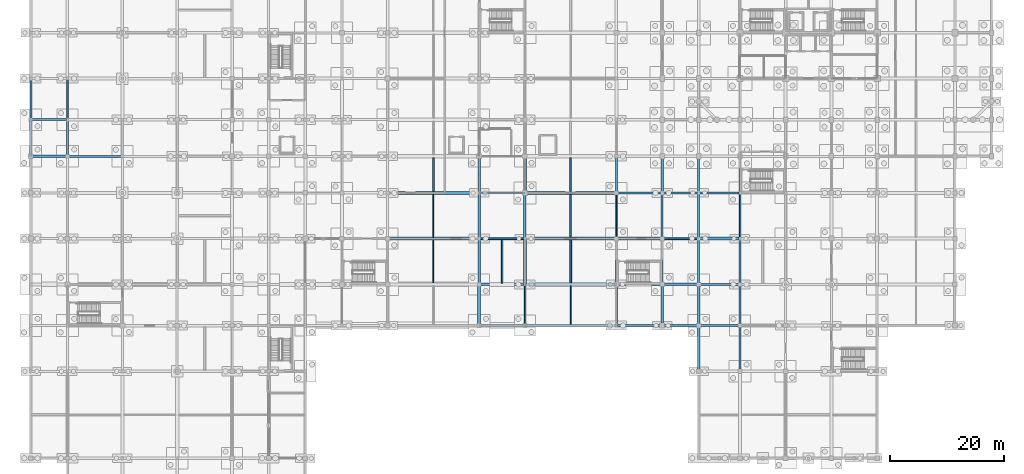
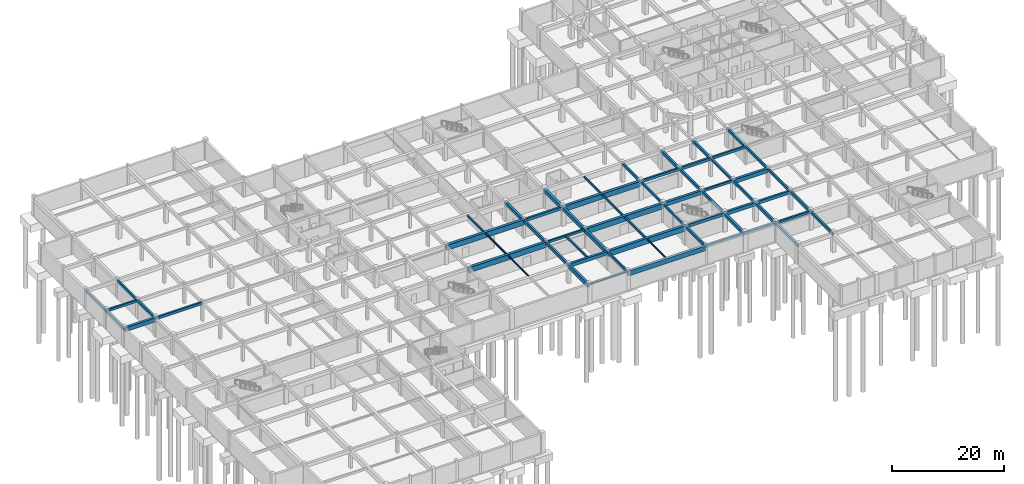
# One storey, part 11 of 28: 63 beams.
"""IFC4 building model written with IfcOpenShell, lengths in metres."""

from ifc_helpers import new_model, si_unit, direction, frame, origin, origin_2d, place, context, subcontext, project, spatial, rectangle, i_section, extrude, material, material_profile, profile_set, type_object, element, save


model = new_model("IFC4")

# Units and contexts
model_context = context("Model", 3, precision=1e-05, world=origin(), true_north=direction((0.0, 1.0)))
body_context = subcontext(model_context, "Body", "Model", "MODEL_VIEW")
ifc_project = project(units=[si_unit("LENGTHUNIT", "METRE"), si_unit("AREAUNIT", "SQUARE_METRE"), si_unit("VOLUMEUNIT", "CUBIC_METRE"), si_unit("PLANEANGLEUNIT", "RADIAN"), si_unit("MASSUNIT", "GRAM", prefix="KILO")], contexts=[model_context])

# Site, building, storey
site_placement = place(None, origin())
site = spatial("IfcSite", under=ifc_project, at=site_placement, CompositionType="ELEMENT")
building_placement = place(site_placement, origin())
building = spatial("IfcBuilding", under=site, at=building_placement, Name="Vellmiral Cinema and Media Centre", CompositionType="ELEMENT")
storey_placement = place(building_placement, frame((0.0, 0.0, -4.5)))
storey = spatial("IfcBuildingStorey", under=building, at=storey_placement, Name="B1", CompositionType="ELEMENT", Elevation=-4.5)

# Beams
ifc_material_1 = material(Name="Concrete C40/50", Category="concrete")
ifc_material_profile_1 = material_profile(ifc_material_1, rectangle(XDim=0.300048828125, YDim=0.449951171875, at=origin_2d()), Name="RC 300x450")
ifc_profile_set_1 = profile_set([ifc_material_profile_1], Name="Concrete C40/50")
beam_type_1 = type_object("IfcBeamType", Name="BM-RC-300x450", PredefinedType="BEAM", material=ifc_profile_set_1)
beam_1_placement = place(storey_placement, frame((6.39990234375, 72.0, 3.85009765625), z_axis=(0.0, 1.0, 0.0), x_axis=(-1.0, 0.0, 0.0)))
element("IfcBeam", 1, at=beam_1_placement, inside=storey, type_object=beam_type_1, Name="Grid Beam B1-Y228", PredefinedType="BEAM", context=body_context, shape_type="SweptSolid", body=[
    extrude(rectangle(XDim=0.300048828125, YDim=0.449951171875, at=origin_2d()), origin(), (0.0, 0.0, 1.0), 7.199951171875),
])
beam_2_placement = place(storey_placement, frame((102.39990234375, 51.199951171875, 3.85009765625), z_axis=(0.0, 1.0, 0.0), x_axis=(-1.0, 0.0, 0.0)))
element("IfcBeam", 2, at=beam_2_placement, inside=storey, type_object=beam_type_1, Name="Grid Beam B1-Y325", PredefinedType="BEAM", context=body_context, shape_type="SweptSolid", body=[
    extrude(rectangle(XDim=0.300048828125, YDim=0.449951171875, at=origin_2d()), origin(), (0.0, 0.0, 1.0), 8.0),
])
ifc_material_2 = material(Name="Concrete C40/50", Category="concrete")
ifc_material_profile_2 = material_profile(ifc_material_2, rectangle(XDim=0.300048828125, YDim=0.5, at=origin_2d()), Name="RC 300x500")
ifc_profile_set_2 = profile_set([ifc_material_profile_2], Name="Concrete C40/50")
beam_type_2 = type_object("IfcBeamType", Name="BM-RC-300x500", PredefinedType="BEAM", material=ifc_profile_set_2)
beam_3_placement = place(storey_placement, frame((78.39990234375, 51.199951171875, 3.824951171875), z_axis=(1.0, 0.0, 0.0), x_axis=(0.0, 1.0, 0.0)))
element("IfcBeam", 3, at=beam_3_placement, inside=storey, type_object=beam_type_2, Name="Grid Beam B1-X071", PredefinedType="BEAM", context=body_context, shape_type="SweptSolid", body=[
    extrude(rectangle(XDim=0.300048828125, YDim=0.5, at=origin_2d()), origin(), (0.0, 0.0, 1.0), 8.0),
])
beam_4_placement = place(storey_placement, frame((110.39990234375, 51.199951171875, 3.824951171875), z_axis=(1.0, 0.0, 0.0), x_axis=(0.0, 1.0, 0.0)))
element("IfcBeam", 4, at=beam_4_placement, inside=storey, type_object=beam_type_2, Name="Grid Beam B1-X074", PredefinedType="BEAM", context=body_context, shape_type="SweptSolid", body=[
    extrude(rectangle(XDim=0.300048828125, YDim=0.5, at=origin_2d()), origin(), (0.0, 0.0, 1.0), 6.400146484375),
])
beam_5_placement = place(storey_placement, frame((86.39990234375, 36.0, 3.824951171875), z_axis=(0.0, 1.0, 0.0), x_axis=(-1.0, 0.0, 0.0)))
element("IfcBeam", 5, at=beam_5_placement, inside=storey, type_object=beam_type_2, Name="Grid Beam B1-Y315", PredefinedType="BEAM", context=body_context, shape_type="SweptSolid", body=[
    extrude(rectangle(XDim=0.300048828125, YDim=0.5, at=origin_2d()), origin(), (0.0, 0.0, 1.0), 7.199951171875),
])
for number, where, z_axis, x_axis, name in (
    (6, (102.39990234375, 43.199951171875, 3.824951171875), (0.0, 1.0, 0.0), (-1.0, 0.0, 0.0), "Grid Beam B1-Y324"),
    (7, (124.0, 51.199951171875, 3.824951171875), (0.0, 1.0, 0.0), (-1.0, 0.0, 0.0), "Grid Beam B1-Y357"),
):
    element("IfcBeam", number, at=place(storey_placement, frame(where, z_axis=z_axis, x_axis=x_axis)), inside=storey, type_object=beam_type_2, Name=name, PredefinedType="BEAM", context=body_context, shape_type="SweptSolid", body=[
        extrude(rectangle(XDim=0.300048828125, YDim=0.5, at=origin_2d()), origin(), (0.0, 0.0, 1.0), 8.0),
    ])
ifc_material_3 = material(Name="Concrete C40/50", Category="concrete")
ifc_material_profile_3 = material_profile(ifc_material_3, rectangle(XDim=0.35009765625, YDim=0.5, at=origin_2d()), Name="RC 350x500")
ifc_profile_set_3 = profile_set([ifc_material_profile_3], Name="Concrete C40/50")
beam_type_3 = type_object("IfcBeamType", Name="BM-RC-350x500", PredefinedType="BEAM", material=ifc_profile_set_3)
beam_6_placement = place(storey_placement, frame((116.800048828125, 36.0, 3.824951171875), z_axis=(1.0, 0.0, 0.0), x_axis=(0.0, 1.0, 0.0)))
element("IfcBeam", 8, at=beam_6_placement, inside=storey, type_object=beam_type_3, Name="Grid Beam B1-X039", PredefinedType="BEAM", context=body_context, shape_type="SweptSolid", body=[
    extrude(rectangle(XDim=0.35009765625, YDim=0.5, at=origin_2d()), origin(), (0.0, 0.0, 1.0), 7.199951171875),
])
for number, where, z_axis, x_axis, name in (
    (9, (0.0, 72.0, 3.824951171875), (1.0, 0.0, 0.0), (0.0, 1.0, 0.0), "Grid Beam B1-X117"),
    (10, (6.39990234375, 65.60009765625, 3.824951171875), (0.0, 1.0, 0.0), (-1.0, 0.0, 0.0), "Grid Beam B1-Y227"),
):
    element("IfcBeam", number, at=place(storey_placement, frame(where, z_axis=z_axis, x_axis=x_axis)), inside=storey, type_object=beam_type_3, Name=name, PredefinedType="BEAM", context=body_context, shape_type="SweptSolid", body=[
        extrude(rectangle(XDim=0.35009765625, YDim=0.5, at=origin_2d()), origin(), (0.0, 0.0, 1.0), 6.39990234375),
    ])
beam_7_placement = place(storey_placement, frame((102.39990234375, 59.199951171875, 3.824951171875), z_axis=(0.0, 1.0, 0.0), x_axis=(-1.0, 0.0, 0.0)))
element("IfcBeam", 11, at=beam_7_placement, inside=storey, type_object=beam_type_3, Name="Grid Beam B1-Y326", PredefinedType="BEAM", context=body_context, shape_type="SweptSolid", body=[
    extrude(rectangle(XDim=0.35009765625, YDim=0.5, at=origin_2d()), origin(), (0.0, 0.0, 1.0), 6.400146484375),
])
for number, where, z_axis, x_axis, name in (
    (12, (116.800048828125, 51.199951171875, 3.824951171875), (0.0, 1.0, 0.0), (-1.0, 0.0, 0.0), "Grid Beam B1-Y345"),
    (13, (124.0, 43.199951171875, 3.824951171875), (0.0, 1.0, 0.0), (-1.0, 0.0, 0.0), "Grid Beam B1-Y356"),
):
    element("IfcBeam", number, at=place(storey_placement, frame(where, z_axis=z_axis, x_axis=x_axis)), inside=storey, type_object=beam_type_3, Name=name, PredefinedType="BEAM", context=body_context, shape_type="SweptSolid", body=[
        extrude(rectangle(XDim=0.35009765625, YDim=0.5, at=origin_2d()), origin(), (0.0, 0.0, 1.0), 8.0),
    ])
ifc_material_4 = material(Name="Concrete C40/50", Category="concrete")
ifc_material_profile_4 = material_profile(ifc_material_4, rectangle(XDim=0.35009765625, YDim=0.550048828125, at=origin_2d()), Name="RC 350x550")
ifc_profile_set_4 = profile_set([ifc_material_profile_4], Name="Concrete C40/50")
beam_type_4 = type_object("IfcBeamType", Name="BM-RC-350x550", PredefinedType="BEAM", material=ifc_profile_set_4)
beam_8_placement = place(storey_placement, frame((102.39990234375, 59.199951171875, 3.800048828125), z_axis=(1.0, 0.0, 0.0), x_axis=(0.0, 1.0, 0.0)))
element("IfcBeam", 14, at=beam_8_placement, inside=storey, type_object=beam_type_4, Name="Grid Beam B1-X091", PredefinedType="BEAM", context=body_context, shape_type="SweptSolid", body=[
    extrude(rectangle(XDim=0.35009765625, YDim=0.550048828125, at=origin_2d()), origin(), (0.0, 0.0, 1.0), 8.0),
])
beam_9_placement = place(storey_placement, frame((116.800048828125, 59.199951171875, 3.800048828125), z_axis=(1.0, 0.0, 0.0), x_axis=(0.0, 1.0, 0.0)))
element("IfcBeam", 15, at=beam_9_placement, inside=storey, type_object=beam_type_4, Name="Grid Beam B1-X093", PredefinedType="BEAM", context=body_context, shape_type="SweptSolid", body=[
    extrude(rectangle(XDim=0.35009765625, YDim=0.550048828125, at=origin_2d()), origin(), (0.0, 0.0, 1.0), 7.199951171875),
])
beam_10_placement = place(storey_placement, frame((6.39990234375, 65.60009765625, 3.800048828125), z_axis=(1.0, 0.0, 0.0), x_axis=(0.0, 1.0, 0.0)))
element("IfcBeam", 16, at=beam_10_placement, inside=storey, type_object=beam_type_4, Name="Grid Beam B1-X099", PredefinedType="BEAM", context=body_context, shape_type="SweptSolid", body=[
    extrude(rectangle(XDim=0.35009765625, YDim=0.550048828125, at=origin_2d()), origin(), (0.0, 0.0, 1.0), 9.60009765625),
])
for number, where, z_axis, x_axis, name in (
    (17, (110.39990234375, 51.199951171875, 3.800048828125), (0.0, 1.0, 0.0), (-1.0, 0.0, 0.0), "Grid Beam B1-Y333"),
    (18, (116.800048828125, 43.199951171875, 3.800048828125), (0.0, 1.0, 0.0), (-1.0, 0.0, 0.0), "Grid Beam B1-Y344"),
):
    element("IfcBeam", number, at=place(storey_placement, frame(where, z_axis=z_axis, x_axis=x_axis)), inside=storey, type_object=beam_type_4, Name=name, PredefinedType="BEAM", context=body_context, shape_type="SweptSolid", body=[
        extrude(rectangle(XDim=0.35009765625, YDim=0.550048828125, at=origin_2d()), origin(), (0.0, 0.0, 1.0), 8.0),
    ])
beam_11_placement = place(storey_placement, frame((124.0, 59.199951171875, 3.800048828125), z_axis=(0.0, 1.0, 0.0), x_axis=(-1.0, 0.0, 0.0)))
element("IfcBeam", 19, at=beam_11_placement, inside=storey, type_object=beam_type_4, Name="Grid Beam B1-Y358", PredefinedType="BEAM", context=body_context, shape_type="SweptSolid", body=[
    extrude(rectangle(XDim=0.35009765625, YDim=0.550048828125, at=origin_2d()), origin(), (0.0, 0.0, 1.0), 6.400146484375),
])
ifc_material_5 = material(Name="Concrete C40/50", Category="concrete")
ifc_material_profile_5 = material_profile(ifc_material_5, rectangle(XDim=0.35009765625, YDim=0.60009765625, at=origin_2d()), Name="RC 350x600")
ifc_profile_set_5 = profile_set([ifc_material_profile_5], Name="Concrete C40/50")
beam_type_5 = type_object("IfcBeamType", Name="BM-RC-350x600", PredefinedType="BEAM", material=ifc_profile_set_5)
beam_12_placement = place(storey_placement, frame((102.39990234375, 36.0, 3.77490234375), z_axis=(0.0, 1.0, 0.0), x_axis=(-1.0, 0.0, 0.0)))
element("IfcBeam", 20, at=beam_12_placement, inside=storey, type_object=beam_type_5, Name="Grid Beam B1-Y323", PredefinedType="BEAM", context=body_context, shape_type="SweptSolid", body=[
    extrude(rectangle(XDim=0.35009765625, YDim=0.60009765625, at=origin_2d()), origin(), (0.0, 0.0, 1.0), 7.199951171875),
])
beam_13_placement = place(storey_placement, frame((110.39990234375, 43.199951171875, 3.77490234375), z_axis=(0.0, 1.0, 0.0), x_axis=(-1.0, 0.0, 0.0)))
element("IfcBeam", 21, at=beam_13_placement, inside=storey, type_object=beam_type_5, Name="Grid Beam B1-Y332", PredefinedType="BEAM", context=body_context, shape_type="SweptSolid", body=[
    extrude(rectangle(XDim=0.35009765625, YDim=0.60009765625, at=origin_2d()), origin(), (0.0, 0.0, 1.0), 8.0),
])
beam_14_placement = place(storey_placement, frame((116.800048828125, 59.199951171875, 3.77490234375), z_axis=(0.0, 1.0, 0.0), x_axis=(-1.0, 0.0, 0.0)))
element("IfcBeam", 22, at=beam_14_placement, inside=storey, type_object=beam_type_5, Name="Grid Beam B1-Y346", PredefinedType="BEAM", context=body_context, shape_type="SweptSolid", body=[
    extrude(rectangle(XDim=0.35009765625, YDim=0.60009765625, at=origin_2d()), origin(), (0.0, 0.0, 1.0), 6.400146484375),
])
beam_15_placement = place(storey_placement, frame((124.0, 28.0, 3.77490234375), z_axis=(0.0, 1.0, 0.0), x_axis=(-1.0, 0.0, 0.0)))
element("IfcBeam", 23, at=beam_15_placement, inside=storey, type_object=beam_type_5, Name="Grid Beam B1-Y354", PredefinedType="BEAM", context=body_context, shape_type="SweptSolid", body=[
    extrude(rectangle(XDim=0.35009765625, YDim=0.60009765625, at=origin_2d()), origin(), (0.0, 0.0, 1.0), 8.0),
])
ifc_material_6 = material(Name="Concrete C40/50", Category="concrete")
ifc_material_profile_6 = material_profile(ifc_material_6, rectangle(XDim=0.39990234375, YDim=0.60009765625, at=origin_2d()), Name="RC 400x600")
ifc_profile_set_6 = profile_set([ifc_material_profile_6], Name="Concrete C40/50")
beam_type_6 = type_object("IfcBeamType", Name="BM-RC-400x600", PredefinedType="BEAM", material=ifc_profile_set_6)
beam_16_placement = place(storey_placement, frame((78.39990234375, 59.199951171875, 3.77490234375), z_axis=(1.0, 0.0, 0.0), x_axis=(0.0, 1.0, 0.0)))
element("IfcBeam", 24, at=beam_16_placement, inside=storey, type_object=beam_type_6, Name="Grid Beam B1-X089", PredefinedType="BEAM", context=body_context, shape_type="SweptSolid", body=[
    extrude(rectangle(XDim=0.39990234375, YDim=0.60009765625, at=origin_2d()), origin(), (0.0, 0.0, 1.0), 8.0),
])
beam_17_placement = place(storey_placement, frame((110.39990234375, 59.199951171875, 3.77490234375), z_axis=(1.0, 0.0, 0.0), x_axis=(0.0, 1.0, 0.0)))
element("IfcBeam", 25, at=beam_17_placement, inside=storey, type_object=beam_type_6, Name="Grid Beam B1-X092", PredefinedType="BEAM", context=body_context, shape_type="SweptSolid", body=[
    extrude(rectangle(XDim=0.39990234375, YDim=0.60009765625, at=origin_2d()), origin(), (0.0, 0.0, 1.0), 6.400146484375),
])
beam_18_placement = place(storey_placement, frame((78.39990234375, 51.199951171875, 3.77490234375), z_axis=(0.0, 1.0, 0.0), x_axis=(-1.0, 0.0, 0.0)))
element("IfcBeam", 26, at=beam_18_placement, inside=storey, type_object=beam_type_6, Name="Grid Beam B1-Y309", PredefinedType="BEAM", context=body_context, shape_type="SweptSolid", body=[
    extrude(rectangle(XDim=0.39990234375, YDim=0.60009765625, at=origin_2d()), origin(), (0.0, 0.0, 1.0), 8.0),
])
beam_19_placement = place(storey_placement, frame((110.39990234375, 59.199951171875, 3.77490234375), z_axis=(0.0, 1.0, 0.0), x_axis=(-1.0, 0.0, 0.0)))
element("IfcBeam", 27, at=beam_19_placement, inside=storey, type_object=beam_type_6, Name="Grid Beam B1-Y334", PredefinedType="BEAM", context=body_context, shape_type="SweptSolid", body=[
    extrude(rectangle(XDim=0.39990234375, YDim=0.60009765625, at=origin_2d()), origin(), (0.0, 0.0, 1.0), 6.400146484375),
])
beam_20_placement = place(storey_placement, frame((124.0, 36.0, 3.77490234375), z_axis=(0.0, 1.0, 0.0), x_axis=(-1.0, 0.0, 0.0)))
element("IfcBeam", 28, at=beam_20_placement, inside=storey, type_object=beam_type_6, Name="Grid Beam B1-Y355", PredefinedType="BEAM", context=body_context, shape_type="SweptSolid", body=[
    extrude(rectangle(XDim=0.39990234375, YDim=0.60009765625, at=origin_2d()), origin(), (0.0, 0.0, 1.0), 7.199951171875),
])
ifc_material_7 = material(Name="Concrete C40/50", Category="concrete")
ifc_material_profile_7 = material_profile(ifc_material_7, rectangle(XDim=0.39990234375, YDim=0.64990234375, at=origin_2d()), Name="RC 400x650")
ifc_profile_set_7 = profile_set([ifc_material_profile_7], Name="Concrete C40/50")
beam_type_7 = type_object("IfcBeamType", Name="BM-RC-400x650", PredefinedType="BEAM", material=ifc_profile_set_7)
beam_21_placement = place(storey_placement, frame((102.39990234375, 43.199951171875, 3.75), z_axis=(1.0, 0.0, 0.0), x_axis=(0.0, 1.0, 0.0)))
element("IfcBeam", 29, at=beam_21_placement, inside=storey, type_object=beam_type_7, Name="Grid Beam B1-X055", PredefinedType="BEAM", context=body_context, shape_type="SweptSolid", body=[
    extrude(rectangle(XDim=0.39990234375, YDim=0.64990234375, at=origin_2d()), origin(), (0.0, 0.0, 1.0), 8.0),
])
beam_22_placement = place(storey_placement, frame((116.800048828125, 43.199951171875, 3.75), z_axis=(1.0, 0.0, 0.0), x_axis=(0.0, 1.0, 0.0)))
element("IfcBeam", 30, at=beam_22_placement, inside=storey, type_object=beam_type_7, Name="Grid Beam B1-X057", PredefinedType="BEAM", context=body_context, shape_type="SweptSolid", body=[
    extrude(rectangle(XDim=0.39990234375, YDim=0.64990234375, at=origin_2d()), origin(), (0.0, 0.0, 1.0), 7.199951171875),
])
beam_23_placement = place(storey_placement, frame((78.39990234375, 43.199951171875, 3.75), z_axis=(0.0, 1.0, 0.0), x_axis=(-1.0, 0.0, 0.0)))
element("IfcBeam", 31, at=beam_23_placement, inside=storey, type_object=beam_type_7, Name="Grid Beam B1-Y308", PredefinedType="BEAM", context=body_context, shape_type="SweptSolid", body=[
    extrude(rectangle(XDim=0.39990234375, YDim=0.64990234375, at=origin_2d()), origin(), (0.0, 0.0, 1.0), 8.0),
])
beam_24_placement = place(storey_placement, frame((116.800048828125, 36.0, 3.75), z_axis=(0.0, 1.0, 0.0), x_axis=(-1.0, 0.0, 0.0)))
element("IfcBeam", 32, at=beam_24_placement, inside=storey, type_object=beam_type_7, Name="Grid Beam B1-Y343", PredefinedType="BEAM", context=body_context, shape_type="SweptSolid", body=[
    extrude(rectangle(XDim=0.39990234375, YDim=0.64990234375, at=origin_2d()), origin(), (0.0, 0.0, 1.0), 7.199951171875),
])
ifc_material_8 = material(Name="Concrete C40/50", Category="concrete")
ifc_material_profile_8 = material_profile(ifc_material_8, rectangle(XDim=0.449951171875, YDim=0.699951171875, at=origin_2d()), Name="RC 450x700")
ifc_profile_set_8 = profile_set([ifc_material_profile_8], Name="Concrete C40/50")
beam_type_8 = type_object("IfcBeamType", Name="BM-RC-450x700", PredefinedType="BEAM", material=ifc_profile_set_8)
beam_25_placement = place(storey_placement, frame((78.39990234375, 59.199951171875, 3.72509765625), z_axis=(0.0, 1.0, 0.0), x_axis=(-1.0, 0.0, 0.0)))
element("IfcBeam", 33, at=beam_25_placement, inside=storey, type_object=beam_type_8, Name="Grid Beam B1-Y310", PredefinedType="BEAM", context=body_context, shape_type="SweptSolid", body=[
    extrude(rectangle(XDim=0.449951171875, YDim=0.699951171875, at=origin_2d()), origin(), (0.0, 0.0, 1.0), 6.400146484375),
])
beam_26_placement = place(storey_placement, frame((110.39990234375, 36.0, 3.72509765625), z_axis=(0.0, 1.0, 0.0), x_axis=(-1.0, 0.0, 0.0)))
element("IfcBeam", 34, at=beam_26_placement, inside=storey, type_object=beam_type_8, Name="Grid Beam B1-Y331", PredefinedType="BEAM", context=body_context, shape_type="SweptSolid", body=[
    extrude(rectangle(XDim=0.449951171875, YDim=0.699951171875, at=origin_2d()), origin(), (0.0, 0.0, 1.0), 7.199951171875),
])
ifc_material_9 = material(Name="Concrete C40/50", Category="concrete")
ifc_material_profile_9 = material_profile(ifc_material_9, rectangle(XDim=0.449951171875, YDim=0.75, at=origin_2d()), Name="RC 450x750")
ifc_profile_set_9 = profile_set([ifc_material_profile_9], Name="Concrete C40/50")
beam_type_9 = type_object("IfcBeamType", Name="BM-RC-450x750", PredefinedType="BEAM", material=ifc_profile_set_9)
beam_27_placement = place(storey_placement, frame((78.39990234375, 43.199951171875, 3.699951171875), z_axis=(1.0, 0.0, 0.0), x_axis=(0.0, 1.0, 0.0)))
element("IfcBeam", 35, at=beam_27_placement, inside=storey, type_object=beam_type_9, Name="Grid Beam B1-X053", PredefinedType="BEAM", context=body_context, shape_type="SweptSolid", body=[
    extrude(rectangle(XDim=0.449951171875, YDim=0.75, at=origin_2d()), origin(), (0.0, 0.0, 1.0), 8.0),
])
beam_28_placement = place(storey_placement, frame((110.39990234375, 43.199951171875, 3.699951171875), z_axis=(1.0, 0.0, 0.0), x_axis=(0.0, 1.0, 0.0)))
element("IfcBeam", 36, at=beam_28_placement, inside=storey, type_object=beam_type_9, Name="Grid Beam B1-X056", PredefinedType="BEAM", context=body_context, shape_type="SweptSolid", body=[
    extrude(rectangle(XDim=0.449951171875, YDim=0.75, at=origin_2d()), origin(), (0.0, 0.0, 1.0), 6.400146484375),
])
beam_29_placement = place(storey_placement, frame((86.39990234375, 51.199951171875, 3.699951171875), z_axis=(0.0, 1.0, 0.0), x_axis=(-1.0, 0.0, 0.0)))
element("IfcBeam", 37, at=beam_29_placement, inside=storey, type_object=beam_type_9, Name="Grid Beam B1-Y317", PredefinedType="BEAM", context=body_context, shape_type="SweptSolid", body=[
    extrude(rectangle(XDim=0.449951171875, YDim=0.75, at=origin_2d()), origin(), (0.0, 0.0, 1.0), 8.0),
])
ifc_material_10 = material(Name="Concrete C40/50", Category="concrete")
ifc_material_profile_10 = material_profile(ifc_material_10, rectangle(XDim=0.5, YDim=0.800048828125, at=origin_2d()), Name="RC 500x800")
ifc_profile_set_10 = profile_set([ifc_material_profile_10], Name="Concrete C40/50")
beam_type_10 = type_object("IfcBeamType", Name="BM-RC-500x800", PredefinedType="BEAM", material=ifc_profile_set_10)
beam_30_placement = place(storey_placement, frame((78.39990234375, 36.0, 3.675048828125), z_axis=(0.0, 1.0, 0.0), x_axis=(-1.0, 0.0, 0.0)))
element("IfcBeam", 38, at=beam_30_placement, inside=storey, type_object=beam_type_10, Name="Grid Beam B1-Y307", PredefinedType="BEAM", context=body_context, shape_type="SweptSolid", body=[
    extrude(rectangle(XDim=0.5, YDim=0.800048828125, at=origin_2d()), origin(), (0.0, 0.0, 1.0), 7.199951171875),
])
beam_31_placement = place(storey_placement, frame((86.39990234375, 43.199951171875, 3.675048828125), z_axis=(0.0, 1.0, 0.0), x_axis=(-1.0, 0.0, 0.0)))
element("IfcBeam", 39, at=beam_31_placement, inside=storey, type_object=beam_type_10, Name="Grid Beam B1-Y316", PredefinedType="BEAM", context=body_context, shape_type="SweptSolid", body=[
    extrude(rectangle(XDim=0.5, YDim=0.800048828125, at=origin_2d()), origin(), (0.0, 0.0, 1.0), 8.0),
])
ifc_material_11 = material(Name="Concrete C40/50", Category="concrete")
ifc_material_profile_11 = material_profile(ifc_material_11, rectangle(XDim=0.5, YDim=0.85009765625, at=origin_2d()), Name="RC 500x850")
ifc_profile_set_11 = profile_set([ifc_material_profile_11], Name="Concrete C40/50")
beam_type_11 = type_object("IfcBeamType", Name="BM-RC-500x850", PredefinedType="BEAM", material=ifc_profile_set_11)
beam_32_placement = place(storey_placement, frame((102.39990234375, 51.199951171875, 3.64990234375), z_axis=(1.0, 0.0, 0.0), x_axis=(0.0, 1.0, 0.0)))
element("IfcBeam", 40, at=beam_32_placement, inside=storey, type_object=beam_type_11, Name="Grid Beam B1-X073", PredefinedType="BEAM", context=body_context, shape_type="SweptSolid", body=[
    extrude(rectangle(XDim=0.5, YDim=0.85009765625, at=origin_2d()), origin(), (0.0, 0.0, 1.0), 8.0),
])
beam_33_placement = place(storey_placement, frame((116.800048828125, 51.199951171875, 3.64990234375), z_axis=(1.0, 0.0, 0.0), x_axis=(0.0, 1.0, 0.0)))
element("IfcBeam", 41, at=beam_33_placement, inside=storey, type_object=beam_type_11, Name="Grid Beam B1-X075", PredefinedType="BEAM", context=body_context, shape_type="SweptSolid", body=[
    extrude(rectangle(XDim=0.5, YDim=0.85009765625, at=origin_2d()), origin(), (0.0, 0.0, 1.0), 7.199951171875),
])
beam_34_placement = place(storey_placement, frame((0.0, 65.60009765625, 3.64990234375), z_axis=(1.0, 0.0, 0.0), x_axis=(0.0, 1.0, 0.0)))
element("IfcBeam", 42, at=beam_34_placement, inside=storey, type_object=beam_type_11, Name="Grid Beam B1-X098", PredefinedType="BEAM", context=body_context, shape_type="SweptSolid", body=[
    extrude(rectangle(XDim=0.5, YDim=0.85009765625, at=origin_2d()), origin(), (0.0, 0.0, 1.0), 6.39990234375),
])
beam_35_placement = place(storey_placement, frame((86.39990234375, 59.199951171875, 3.64990234375), z_axis=(0.0, 1.0, 0.0), x_axis=(-1.0, 0.0, 0.0)))
element("IfcBeam", 43, at=beam_35_placement, inside=storey, type_object=beam_type_11, Name="Grid Beam B1-Y318", PredefinedType="BEAM", context=body_context, shape_type="SweptSolid", body=[
    extrude(rectangle(XDim=0.5, YDim=0.85009765625, at=origin_2d()), origin(), (0.0, 0.0, 1.0), 6.400146484375),
])
ifc_material_12 = material(Name="Concrete C40/50", Category="concrete")
ifc_material_profile_12 = material_profile(ifc_material_12, rectangle(XDim=0.550048828125, YDim=1.14990234375, at=origin_2d()), Name="RC 550x1150")
ifc_profile_set_12 = profile_set([ifc_material_profile_12], Name="Concrete C40/50")
beam_type_12 = type_object("IfcBeamType", Name="BM-RCG-550x1150", PredefinedType="BEAM", material=ifc_profile_set_12)
for number, where, z_axis, x_axis, name in (
    (44, (86.39990234375, 43.199951171875, 3.5), (1.0, 0.0, 0.0), (0.0, 1.0, 0.0), "Grid Beam B1-X054"),
    (45, (62.39990234375, 51.199951171875, 3.5), (1.0, 0.0, 0.0), (0.0, 1.0, 0.0), "Grid Beam B1-X070"),
    (46, (86.39990234375, 51.199951171875, 3.5), (1.0, 0.0, 0.0), (0.0, 1.0, 0.0), "Grid Beam B1-X072"),
    (47, (62.39990234375, 59.199951171875, 3.5), (1.0, 0.0, 0.0), (0.0, 1.0, 0.0), "Grid Beam B1-X088"),
    (48, (86.39990234375, 59.199951171875, 3.5), (1.0, 0.0, 0.0), (0.0, 1.0, 0.0), "Grid Beam B1-X090"),
):
    element("IfcBeam", number, at=place(storey_placement, frame(where, z_axis=z_axis, x_axis=x_axis)), inside=storey, type_object=beam_type_12, Name=name, PredefinedType="BEAM", context=body_context, shape_type="SweptSolid", body=[
        extrude(rectangle(XDim=0.550048828125, YDim=1.14990234375, at=origin_2d()), origin(), (0.0, 0.0, 1.0), 16.0),
    ])
ifc_material_13 = material(Name="Concrete C40/50", Category="concrete")
ifc_material_profile_13 = material_profile(ifc_material_13, rectangle(XDim=0.260009765625, YDim=0.3798828125, at=origin_2d()), Name="RC 260x380")
ifc_profile_set_13 = profile_set([ifc_material_profile_13], Name="Concrete C40/50")
beam_type_13 = type_object("IfcBeamType", Name="JST-RC-260x380", PredefinedType="JOIST", material=ifc_profile_set_13)
beam_36_placement = place(storey_placement, frame((94.39990234375, 59.47509765625, 3.885009765625), z_axis=(0.0, 1.0, 0.0), x_axis=(-1.0, 0.0, 0.0)))
element("IfcBeam", 49, at=beam_36_placement, inside=storey, type_object=beam_type_13, Name="Secondary Floor Joist B1-027", PredefinedType="JOIST", context=body_context, shape_type="SweptSolid", body=[
    extrude(rectangle(XDim=0.260009765625, YDim=0.3798828125, at=origin_2d()), origin(), (0.0, 0.0, 1.0), 5.849853515625),
])
ifc_material_14 = material(Name="Concrete C40/50", Category="concrete")
ifc_material_profile_14 = material_profile(ifc_material_14, rectangle(XDim=0.280029296875, YDim=0.39990234375, at=origin_2d()), Name="RC 280x400")
ifc_profile_set_14 = profile_set([ifc_material_profile_14], Name="Concrete C40/50")
beam_type_14 = type_object("IfcBeamType", Name="JST-RC-280x400", PredefinedType="JOIST", material=ifc_profile_set_14)
beam_37_placement = place(storey_placement, frame((94.39990234375, 51.47509765625, 3.875), z_axis=(0.0, 1.0, 0.0), x_axis=(-1.0, 0.0, 0.0)))
element("IfcBeam", 50, at=beam_37_placement, inside=storey, type_object=beam_type_14, Name="Secondary Floor Joist B1-026", PredefinedType="JOIST", context=body_context, shape_type="SweptSolid", body=[
    extrude(rectangle(XDim=0.280029296875, YDim=0.39990234375, at=origin_2d()), origin(), (0.0, 0.0, 1.0), 7.449951171875),
])
ifc_material_15 = material(Name="Concrete C40/50", Category="concrete")
ifc_material_profile_15 = material_profile(ifc_material_15, rectangle(XDim=0.300048828125, YDim=0.419921875, at=origin_2d()), Name="RC 300x420")
ifc_profile_set_15 = profile_set([ifc_material_profile_15], Name="Concrete C40/50")
beam_type_15 = type_object("IfcBeamType", Name="JST-RC-300x420", PredefinedType="JOIST", material=ifc_profile_set_15)
beam_38_placement = place(storey_placement, frame((70.39990234375, 59.47509765625, 3.864990234375), z_axis=(0.0, 1.0, 0.0), x_axis=(-1.0, 0.0, 0.0)))
element("IfcBeam", 51, at=beam_38_placement, inside=storey, type_object=beam_type_15, Name="Secondary Floor Joist B1-019", PredefinedType="JOIST", context=body_context, shape_type="SweptSolid", body=[
    extrude(rectangle(XDim=0.300048828125, YDim=0.419921875, at=origin_2d()), origin(), (0.0, 0.0, 1.0), 5.849853515625),
])
beam_39_placement = place(storey_placement, frame((94.39990234375, 43.47509765625, 3.864990234375), z_axis=(0.0, 1.0, 0.0), x_axis=(-1.0, 0.0, 0.0)))
element("IfcBeam", 52, at=beam_39_placement, inside=storey, type_object=beam_type_15, Name="Secondary Floor Joist B1-025", PredefinedType="JOIST", context=body_context, shape_type="SweptSolid", body=[
    extrude(rectangle(XDim=0.300048828125, YDim=0.419921875, at=origin_2d()), origin(), (0.0, 0.0, 1.0), 7.449951171875),
])
beam_40_placement = place(storey_placement, frame((82.39990234375, 43.425048828125, 3.864990234375), z_axis=(0.0, 1.0, 0.0), x_axis=(-1.0, 0.0, 0.0)))
element("IfcBeam", 53, at=beam_40_placement, inside=storey, type_object=beam_type_15, Name="Platform Sub-Bay Floor Joist B1-06", PredefinedType="JOIST", context=body_context, shape_type="SweptSolid", body=[
    extrude(rectangle(XDim=0.300048828125, YDim=0.419921875, at=origin_2d()), origin(), (0.0, 0.0, 1.0), 7.625),
])
ifc_material_16 = material(Name="Steel S355", Category="steel")
ifc_material_profile_16 = material_profile(ifc_material_16, i_section(OverallWidth=0.300048828125, OverallDepth=0.300048828125, WebThickness=0.010986328125, FlangeThickness=0.01904296875, FilletRadius=0.027099609375, at=origin_2d()), Name="HEB 300")
ifc_profile_set_16 = profile_set([ifc_material_profile_16], Name="Steel S355")
beam_type_16 = type_object("IfcBeamType", Name="SBM-HEB300", PredefinedType="SPANDREL", material=ifc_profile_set_16)
beam_41_placement = place(storey_placement, frame((78.39990234375, 36.0, 3.925048828125), z_axis=(1.0, 0.0, 0.0), x_axis=(0.0, 1.0, 0.0)))
element("IfcBeam", 54, at=beam_41_placement, inside=storey, type_object=beam_type_16, Name="Grid Beam B1-X035", PredefinedType="SPANDREL", context=body_context, shape_type="SweptSolid", body=[
    extrude(i_section(OverallWidth=0.300048828125, OverallDepth=0.300048828125, WebThickness=0.010986328125, FlangeThickness=0.01904296875, FilletRadius=0.027099609375, at=origin_2d()), origin(), (0.0, 0.0, 1.0), 8.0),
])
ifc_material_17 = material(Name="Steel S355", Category="steel")
ifc_material_profile_17 = material_profile(ifc_material_17, i_section(OverallWidth=0.14990234375, OverallDepth=0.300048828125, WebThickness=0.007080078125, FlangeThickness=0.0107421875, FilletRadius=0.014892578125, at=origin_2d()), Name="IPE 300")
ifc_profile_set_17 = profile_set([ifc_material_profile_17], Name="Steel S355")
beam_type_17 = type_object("IfcBeamType", Name="SBM-IPE300", PredefinedType="JOIST", material=ifc_profile_set_17)
beam_42_placement = place(storey_placement, frame((70.39990234375, 43.47509765625, 3.925048828125), z_axis=(0.0, 1.0, 0.0), x_axis=(-1.0, 0.0, 0.0)))
element("IfcBeam", 55, at=beam_42_placement, inside=storey, type_object=beam_type_17, Name="Secondary Floor Joist B1-017", PredefinedType="JOIST", context=body_context, shape_type="SweptSolid", body=[
    extrude(i_section(OverallWidth=0.14990234375, OverallDepth=0.300048828125, WebThickness=0.007080078125, FlangeThickness=0.0107421875, FilletRadius=0.014892578125, at=origin_2d()), origin(), (0.0, 0.0, 1.0), 7.449951171875),
])
ifc_material_18 = material(Name="Steel S355", Category="steel")
ifc_material_profile_18 = material_profile(ifc_material_18, i_section(OverallWidth=0.169921875, OverallDepth=0.360107421875, WebThickness=0.008056640625, FlangeThickness=0.0126953125, FilletRadius=0.01806640625, at=origin_2d()), Name="IPE 360")
ifc_profile_set_18 = profile_set([ifc_material_profile_18], Name="Steel S355")
beam_type_18 = type_object("IfcBeamType", Name="SBM-IPE360", PredefinedType="JOIST", material=ifc_profile_set_18)
beam_43_placement = place(storey_placement, frame((70.39990234375, 51.47509765625, 3.89501953125), z_axis=(0.0, 1.0, 0.0), x_axis=(-1.0, 0.0, 0.0)))
element("IfcBeam", 56, at=beam_43_placement, inside=storey, type_object=beam_type_18, Name="Secondary Floor Joist B1-018", PredefinedType="JOIST", context=body_context, shape_type="SweptSolid", body=[
    extrude(i_section(OverallWidth=0.169921875, OverallDepth=0.360107421875, WebThickness=0.008056640625, FlangeThickness=0.0126953125, FilletRadius=0.01806640625, at=origin_2d()), origin(), (0.0, 0.0, 1.0), 7.449951171875),
])
beam_44_placement = place(storey_placement, frame((94.39990234375, 36.22509765625, 3.89501953125), z_axis=(0.0, 1.0, 0.0), x_axis=(-1.0, 0.0, 0.0)))
element("IfcBeam", 57, at=beam_44_placement, inside=storey, type_object=beam_type_18, Name="Secondary Floor Joist B1-024", PredefinedType="JOIST", context=body_context, shape_type="SweptSolid", body=[
    extrude(i_section(OverallWidth=0.169921875, OverallDepth=0.360107421875, WebThickness=0.008056640625, FlangeThickness=0.0126953125, FilletRadius=0.01806640625, at=origin_2d()), origin(), (0.0, 0.0, 1.0), 6.699951171875),
])
ifc_material_19 = material(Name="Concrete C40/50", Category="concrete")
ifc_material_profile_19 = material_profile(ifc_material_19, rectangle(XDim=0.35009765625, YDim=0.56005859375, at=origin_2d()), Name="RC 350x560")
ifc_profile_set_19 = profile_set([ifc_material_profile_19], Name="Concrete C40/50")
beam_type_19 = type_object("IfcBeamType", Name="SPD-RC-350x560", PredefinedType="SPANDREL", material=ifc_profile_set_19)
beam_45_placement = place(storey_placement, frame((102.39990234375, 36.0, 3.794921875), z_axis=(1.0, 0.0, 0.0), x_axis=(0.0, 1.0, 0.0)))
element("IfcBeam", 58, at=beam_45_placement, inside=storey, type_object=beam_type_19, Name="Grid Beam B1-X037", PredefinedType="SPANDREL", context=body_context, shape_type="SweptSolid", body=[
    extrude(rectangle(XDim=0.35009765625, YDim=0.56005859375, at=origin_2d()), origin(), (0.0, 0.0, 1.0), 8.0),
])
beam_46_placement = place(storey_placement, frame((0.0, 72.0, 3.794921875), z_axis=(0.0, 1.0, 0.0), x_axis=(-1.0, 0.0, 0.0)))
element("IfcBeam", 59, at=beam_46_placement, inside=storey, type_object=beam_type_19, Name="Grid Beam B1-Y217", PredefinedType="SPANDREL", context=body_context, shape_type="SweptSolid", body=[
    extrude(rectangle(XDim=0.35009765625, YDim=0.56005859375, at=origin_2d()), origin(), (0.0, 0.0, 1.0), 7.199951171875),
])
beam_47_placement = place(storey_placement, frame((116.800048828125, 28.0, 3.794921875), z_axis=(0.0, 1.0, 0.0), x_axis=(-1.0, 0.0, 0.0)))
element("IfcBeam", 60, at=beam_47_placement, inside=storey, type_object=beam_type_19, Name="Grid Beam B1-Y342", PredefinedType="SPANDREL", context=body_context, shape_type="SweptSolid", body=[
    extrude(rectangle(XDim=0.35009765625, YDim=0.56005859375, at=origin_2d()), origin(), (0.0, 0.0, 1.0), 8.0),
])
ifc_material_20 = material(Name="Concrete C40/50", Category="concrete")
ifc_material_profile_20 = material_profile(ifc_material_20, rectangle(XDim=0.39990234375, YDim=0.60009765625, at=origin_2d()), Name="RC 400x600")
ifc_profile_set_20 = profile_set([ifc_material_profile_20], Name="Concrete C40/50")
beam_type_20 = type_object("IfcBeamType", Name="SPD-RC-400x600", PredefinedType="SPANDREL", material=ifc_profile_set_20)
beam_48_placement = place(storey_placement, frame((0.0, 65.60009765625, 3.77490234375), z_axis=(0.0, 1.0, 0.0), x_axis=(-1.0, 0.0, 0.0)))
element("IfcBeam", 61, at=beam_48_placement, inside=storey, type_object=beam_type_20, Name="Grid Beam B1-Y216", PredefinedType="SPANDREL", context=body_context, shape_type="SweptSolid", body=[
    extrude(rectangle(XDim=0.39990234375, YDim=0.60009765625, at=origin_2d()), origin(), (0.0, 0.0, 1.0), 6.39990234375),
])
ifc_material_21 = material(Name="Concrete C40/50", Category="concrete")
ifc_material_profile_21 = material_profile(ifc_material_21, rectangle(XDim=0.449951171875, YDim=1.050048828125, at=origin_2d()), Name="RC 450x1050")
ifc_profile_set_21 = profile_set([ifc_material_profile_21], Name="Concrete C40/50")
beam_type_21 = type_object("IfcBeamType", Name="SPD-RCG-450x1050", PredefinedType="SPANDREL", material=ifc_profile_set_21)
beam_49_placement = place(storey_placement, frame((86.39990234375, 36.0, 3.550048828125), z_axis=(1.0, 0.0, 0.0), x_axis=(0.0, 1.0, 0.0)))
element("IfcBeam", 62, at=beam_49_placement, inside=storey, type_object=beam_type_21, Name="Grid Beam B1-X036", PredefinedType="SPANDREL", context=body_context, shape_type="SweptSolid", body=[
    extrude(rectangle(XDim=0.449951171875, YDim=1.050048828125, at=origin_2d()), origin(), (0.0, 0.0, 1.0), 16.0),
])
ifc_material_22 = material(Name="Vosges Red Sandstone Masonry", Category="masonry")
ifc_material_profile_22 = material_profile(ifc_material_22, rectangle(XDim=0.3798828125, YDim=0.580078125, at=origin_2d()), Name="SAND 380x580")
ifc_profile_set_22 = profile_set([ifc_material_profile_22], Name="Vosges Red Sandstone Masonry")
beam_type_22 = type_object("IfcBeamType", Name="SPD-SAND-380x580", PredefinedType="SPANDREL", material=ifc_profile_set_22)
beam_50_placement = place(storey_placement, frame((110.39990234375, 36.0, 3.784912109375), z_axis=(1.0, 0.0, 0.0), x_axis=(0.0, 1.0, 0.0)))
element("IfcBeam", 63, at=beam_50_placement, inside=storey, type_object=beam_type_22, Name="Grid Beam B1-X038", PredefinedType="SPANDREL", context=body_context, shape_type="SweptSolid", body=[
    extrude(rectangle(XDim=0.3798828125, YDim=0.580078125, at=origin_2d()), origin(), (0.0, 0.0, 1.0), 6.400146484375),
])

save(model, "model.ifc")
